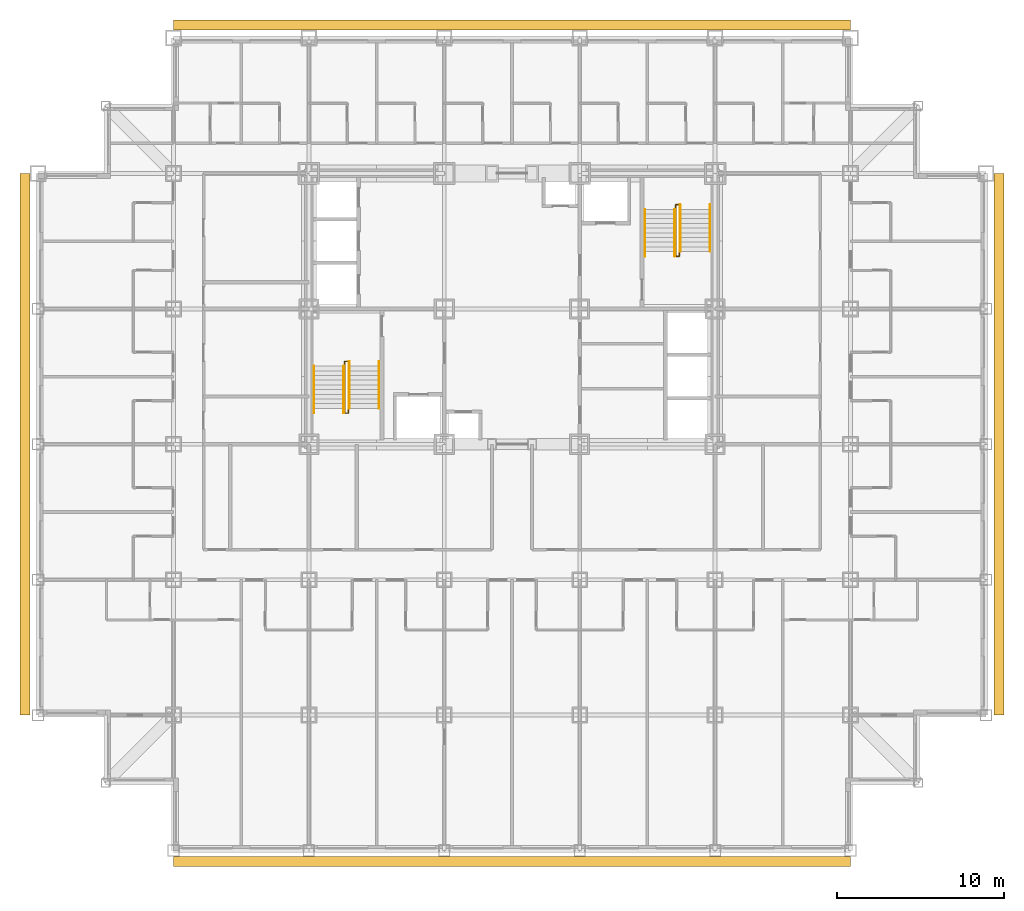
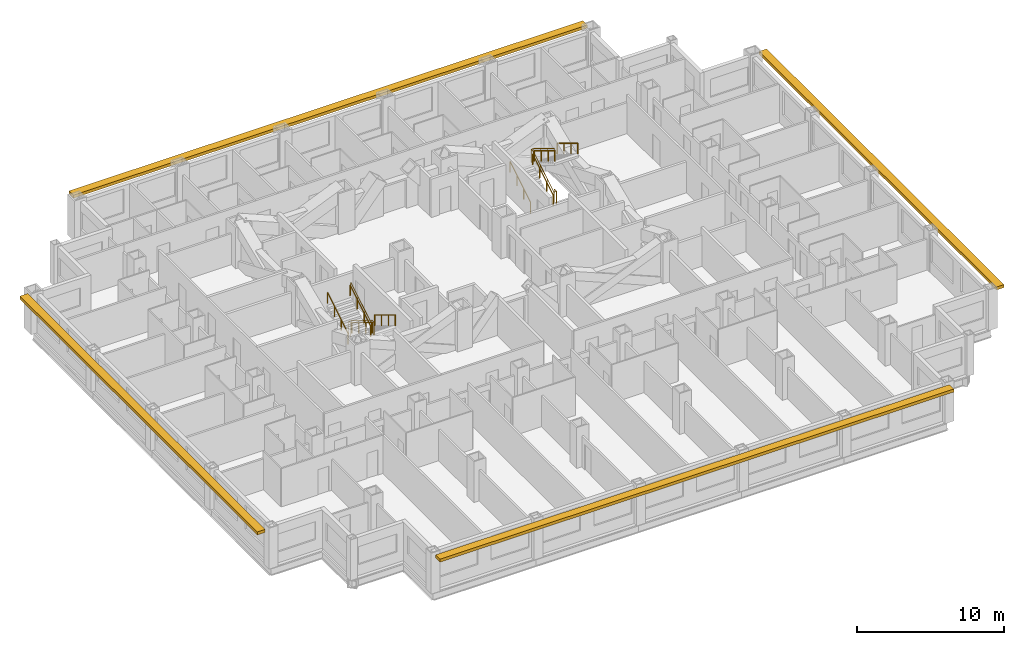
# One storey, part 12 of 12: 10 railings, 4 shading devices.
"""IFC4 building model written with IfcOpenShell, lengths in metres."""

from ifc_helpers import new_model, si_unit, direction, frame, origin, origin_2d, place, context, subcontext, project, spatial, rectangle, circle, extrude, material, type_object, element, save


model = new_model("IFC4")

# Units and contexts
model_context = context("Model", 3, precision=1e-05, world=origin(), true_north=direction((0.0, 1.0)))
body_context = subcontext(model_context, "Body", "Model", "MODEL_VIEW")
ifc_project = project(units=[si_unit("LENGTHUNIT", "METRE"), si_unit("AREAUNIT", "SQUARE_METRE"), si_unit("VOLUMEUNIT", "CUBIC_METRE"), si_unit("PLANEANGLEUNIT", "RADIAN"), si_unit("MASSUNIT", "GRAM", prefix="KILO")], contexts=[model_context])

# Site, building, storey
site_placement = place(None, origin())
site = spatial("IfcSite", under=ifc_project, at=site_placement, CompositionType="ELEMENT")
building_placement = place(site_placement, origin())
building = spatial("IfcBuilding", under=site, at=building_placement, Name="Kopane Lantern Tower", CompositionType="ELEMENT")
storey_placement = place(building_placement, frame((0.0, 0.0, 43.199951171875)))
storey = spatial("IfcBuildingStorey", under=building, at=storey_placement, Name="L09", CompositionType="ELEMENT", Elevation=43.199951171875)

# Railings
ifc_material_1 = material(Name="Steel", Category="steel")
railing_type_1 = type_object("IfcRailingType", Name="STAIR GUARD 1100", PredefinedType="GUARDRAIL", material=ifc_material_1)
railing_1_placement = place(storey_placement, frame((18.35009765625, 28.969970703125, 0.0)))
element("IfcRailing", 1, at=railing_1_placement, inside=storey, type_object=railing_type_1, Name="ST1 well guard L09", PredefinedType="GUARDRAIL", context=body_context, shape_type="SweptSolid", body=[
    extrude(circle(Radius=0.02392578125, at=origin_2d()), frame((0.0, 0.0, 1.076171875), z_axis=(0.0, 1.0, 0.0), x_axis=(-1.0, 0.0, 0.0)), (0.0, 0.0, 1.0), 0.280029296875),
    extrude(circle(Radius=0.02392578125, at=origin_2d()), frame((0.0, 0.280029296875, 1.076171875), z_axis=(1.0, 0.0, 0.0), x_axis=(0.0, 1.0, 0.0)), (0.0, 0.0, 1.0), 0.199951171875),
    extrude(circle(Radius=0.02392578125, at=origin_2d()), frame((0.199951171875, 0.280029296875, 1.076171875), z_axis=(0.0, -0.854798142509, 0.518960630071), x_axis=(1.0, 0.0, 0.0)), (0.0, 0.0, 1.0), 3.275634765625),
    extrude(circle(Radius=0.02392578125, at=origin_2d()), frame((0.199951171875, -2.52001953125, 2.77587890625), z_axis=(0.0, -1.0, 0.0), x_axis=(1.0, 0.0, 0.0)), (0.0, 0.0, 1.0), 0.280029296875),
    extrude(circle(Radius=0.02392578125, at=origin_2d()), frame((0.199951171875, -2.800048828125, 2.77587890625), z_axis=(-1.0, 0.0, 0.0), x_axis=(0.0, -1.0, 0.0)), (0.0, 0.0, 1.0), 0.199951171875),
    extrude(circle(Radius=0.02392578125, at=origin_2d()), frame((0.0, -2.800048828125, 2.77587890625), z_axis=(0.0, 0.854765079529, 0.519015085347), x_axis=(-1.0, 0.0, 0.0)), (0.0, 0.0, 1.0), 3.27587890625),
    extrude(circle(Radius=0.02099609375, at=origin_2d()), origin(), (0.0, 0.0, 1.0), 1.052001953125),
    extrude(circle(Radius=0.02099609375, at=origin_2d()), frame((0.0, 0.280029296875, 0.0)), (0.0, 0.0, 1.0), 1.052001953125),
    extrude(circle(Radius=0.02099609375, at=origin_2d()), frame((0.199951171875, 0.280029296875, 0.0)), (0.0, 0.0, 1.0), 1.052001953125),
    extrude(circle(Radius=0.02099609375, at=origin_2d()), frame((0.199951171875, -0.6533203125, 0.566650390625)), (0.0, 0.0, 1.0), 1.052001953125),
    extrude(circle(Radius=0.02099609375, at=origin_2d()), frame((0.199951171875, -1.586669921875, 1.13330078125)), (0.0, 0.0, 1.0), 1.052001953125),
    extrude(circle(Radius=0.02099609375, at=origin_2d()), frame((0.199951171875, -2.52001953125, 1.699951171875)), (0.0, 0.0, 1.0), 1.052001953125),
    extrude(circle(Radius=0.02099609375, at=origin_2d()), frame((0.199951171875, -2.800048828125, 1.699951171875)), (0.0, 0.0, 1.0), 1.052001953125),
    extrude(circle(Radius=0.02099609375, at=origin_2d()), frame((0.0, -2.800048828125, 1.699951171875)), (0.0, 0.0, 1.0), 1.052001953125),
    extrude(circle(Radius=0.02099609375, at=origin_2d()), frame((0.0, -1.86669921875, 2.2666015625)), (0.0, 0.0, 1.0), 1.052001953125),
    extrude(circle(Radius=0.02099609375, at=origin_2d()), frame((0.0, -0.933349609375, 2.83349609375)), (0.0, 0.0, 1.0), 1.052001953125),
    extrude(circle(Radius=0.02099609375, at=origin_2d()), frame((0.0, 0.0, 3.400146484375)), (0.0, 0.0, 1.0), 1.052001953125),
])
railing_2_placement = place(storey_placement, frame((38.35009765625, 35.830078125, 0.0)))
element("IfcRailing", 2, at=railing_2_placement, inside=storey, type_object=railing_type_1, Name="ST2 well guard L09", PredefinedType="GUARDRAIL", context=body_context, shape_type="SweptSolid", body=[
    extrude(circle(Radius=0.02392578125, at=origin_2d()), frame((0.0, 0.0, 1.076171875), z_axis=(0.0, -1.0, 0.0), x_axis=(1.0, 0.0, 0.0)), (0.0, 0.0, 1.0), 0.280029296875),
    extrude(circle(Radius=0.02392578125, at=origin_2d()), frame((0.0, -0.280029296875, 1.076171875), z_axis=(-1.0, 0.0, 0.0), x_axis=(0.0, -1.0, 0.0)), (0.0, 0.0, 1.0), 0.2001953125),
    extrude(circle(Radius=0.02392578125, at=origin_2d()), frame((-0.2001953125, -0.280029296875, 1.076171875), z_axis=(0.0, 0.854798142509, 0.518960630071), x_axis=(-1.0, 0.0, 0.0)), (0.0, 0.0, 1.0), 3.275634765625),
    extrude(circle(Radius=0.02392578125, at=origin_2d()), frame((-0.2001953125, 2.52001953125, 2.77587890625), z_axis=(0.0, 1.0, 0.0), x_axis=(-1.0, 0.0, 0.0)), (0.0, 0.0, 1.0), 0.27978515625),
    extrude(circle(Radius=0.02392578125, at=origin_2d()), frame((-0.2001953125, 2.7998046875, 2.77587890625), z_axis=(1.0, 0.0, 0.0), x_axis=(0.0, 1.0, 0.0)), (0.0, 0.0, 1.0), 0.2001953125),
    extrude(circle(Radius=0.02392578125, at=origin_2d()), frame((0.0, 2.7998046875, 2.77587890625), z_axis=(0.0, -0.854745001426, 0.5190481505), x_axis=(1.0, 0.0, 0.0)), (0.0, 0.0, 1.0), 3.275634765625),
    extrude(circle(Radius=0.02099609375, at=origin_2d()), origin(), (0.0, 0.0, 1.0), 1.052001953125),
    extrude(circle(Radius=0.02099609375, at=origin_2d()), frame((0.0, -0.280029296875, 0.0)), (0.0, 0.0, 1.0), 1.052001953125),
    extrude(circle(Radius=0.02099609375, at=origin_2d()), frame((-0.2001953125, -0.280029296875, 0.0)), (0.0, 0.0, 1.0), 1.052001953125),
    extrude(circle(Radius=0.02099609375, at=origin_2d()), frame((-0.2001953125, 0.6533203125, 0.566650390625)), (0.0, 0.0, 1.0), 1.052001953125),
    extrude(circle(Radius=0.02099609375, at=origin_2d()), frame((-0.2001953125, 1.586669921875, 1.13330078125)), (0.0, 0.0, 1.0), 1.052001953125),
    extrude(circle(Radius=0.02099609375, at=origin_2d()), frame((-0.2001953125, 2.52001953125, 1.699951171875)), (0.0, 0.0, 1.0), 1.052001953125),
    extrude(circle(Radius=0.02099609375, at=origin_2d()), frame((-0.2001953125, 2.7998046875, 1.699951171875)), (0.0, 0.0, 1.0), 1.052001953125),
    extrude(circle(Radius=0.02099609375, at=origin_2d()), frame((0.0, 2.7998046875, 1.699951171875)), (0.0, 0.0, 1.0), 1.052001953125),
    extrude(circle(Radius=0.02099609375, at=origin_2d()), frame((0.0, 1.866455078125, 2.2666015625)), (0.0, 0.0, 1.0), 1.052001953125),
    extrude(circle(Radius=0.02099609375, at=origin_2d()), frame((0.0, 0.933349609375, 2.83349609375)), (0.0, 0.0, 1.0), 1.052001953125),
    extrude(circle(Radius=0.02099609375, at=origin_2d()), frame((0.0, 0.0, 3.400146484375)), (0.0, 0.0, 1.0), 1.052001953125),
])
ifc_material_2 = material(Name="Steel", Category="steel")
railing_type_2 = type_object("IfcRailingType", Name="STAIR HANDRAIL 900", PredefinedType="HANDRAIL", material=ifc_material_2)
for number, where, name in (
    (3, (20.389892578125, 29.25, 0.0), "ST1 handrail L09 flight 1"),
    (4, (18.610107421875, 29.25, 0.0), "ST1 handrail L09 flight 1"),
):
    element("IfcRailing", number, at=place(storey_placement, frame(where)), inside=storey, type_object=railing_type_2, Name=name, PredefinedType="HANDRAIL", context=body_context, shape_type="SweptSolid", body=[
        extrude(circle(Radius=0.02392578125, at=origin_2d()), frame((0.0, 0.0, 0.8759765625), z_axis=(0.0, -0.854798142509, 0.518960630071), x_axis=(1.0, 0.0, 0.0)), (0.0, 0.0, 1.0), 3.275634765625),
        extrude(circle(Radius=0.02099609375, at=origin_2d()), origin(), (0.0, 0.0, 1.0), 0.851806640625),
        extrude(circle(Radius=0.02099609375, at=origin_2d()), frame((0.0, -0.933349609375, 0.566650390625)), (0.0, 0.0, 1.0), 0.851806640625),
        extrude(circle(Radius=0.02099609375, at=origin_2d()), frame((0.0, -1.86669921875, 1.13330078125)), (0.0, 0.0, 1.0), 0.851806640625),
        extrude(circle(Radius=0.02099609375, at=origin_2d()), frame((0.0, -2.800048828125, 1.699951171875)), (0.0, 0.0, 1.0), 0.851806640625),
    ])
for number, where, name in (
    (5, (16.510009765625, 26.169921875, 1.699951171875), "ST1 handrail L09 flight 2"),
    (6, (18.2900390625, 26.169921875, 1.699951171875), "ST1 handrail L09 flight 2"),
):
    element("IfcRailing", number, at=place(storey_placement, frame(where)), inside=storey, type_object=railing_type_2, Name=name, PredefinedType="HANDRAIL", context=body_context, shape_type="SweptSolid", body=[
        extrude(circle(Radius=0.02392578125, at=origin_2d()), frame((0.0, 0.0, 0.8759765625), z_axis=(0.0, 0.854765079529, 0.519015085347), x_axis=(-1.0, 0.0, 0.0)), (0.0, 0.0, 1.0), 3.27587890625),
        extrude(circle(Radius=0.02099609375, at=origin_2d()), origin(), (0.0, 0.0, 1.0), 0.851806640625),
        extrude(circle(Radius=0.02099609375, at=origin_2d()), frame((0.0, 0.933349609375, 0.566650390625)), (0.0, 0.0, 1.0), 0.851806640625),
        extrude(circle(Radius=0.02099609375, at=origin_2d()), frame((0.0, 1.86669921875, 1.133544921875)), (0.0, 0.0, 1.0), 0.851806640625),
        extrude(circle(Radius=0.02099609375, at=origin_2d()), frame((0.0, 2.800048828125, 1.7001953125)), (0.0, 0.0, 1.0), 0.851806640625),
    ])
for number, where, name in (
    (7, (36.31005859375, 35.550048828125, 0.0), "ST2 handrail L09 flight 1"),
    (8, (38.090087890625, 35.550048828125, 0.0), "ST2 handrail L09 flight 1"),
):
    element("IfcRailing", number, at=place(storey_placement, frame(where)), inside=storey, type_object=railing_type_2, Name=name, PredefinedType="HANDRAIL", context=body_context, shape_type="SweptSolid", body=[
        extrude(circle(Radius=0.02392578125, at=origin_2d()), frame((0.0, 0.0, 0.8759765625), z_axis=(0.0, 0.854798142509, 0.518960630071), x_axis=(-1.0, 0.0, 0.0)), (0.0, 0.0, 1.0), 3.275634765625),
        extrude(circle(Radius=0.02099609375, at=origin_2d()), origin(), (0.0, 0.0, 1.0), 0.851806640625),
        extrude(circle(Radius=0.02099609375, at=origin_2d()), frame((0.0, 0.933349609375, 0.566650390625)), (0.0, 0.0, 1.0), 0.851806640625),
        extrude(circle(Radius=0.02099609375, at=origin_2d()), frame((0.0, 1.86669921875, 1.13330078125)), (0.0, 0.0, 1.0), 0.851806640625),
        extrude(circle(Radius=0.02099609375, at=origin_2d()), frame((0.0, 2.800048828125, 1.699951171875)), (0.0, 0.0, 1.0), 0.851806640625),
    ])
for number, where, name in (
    (9, (40.18994140625, 38.6298828125, 1.699951171875), "ST2 handrail L09 flight 2"),
    (10, (38.409912109375, 38.6298828125, 1.699951171875), "ST2 handrail L09 flight 2"),
):
    element("IfcRailing", number, at=place(storey_placement, frame(where)), inside=storey, type_object=railing_type_2, Name=name, PredefinedType="HANDRAIL", context=body_context, shape_type="SweptSolid", body=[
        extrude(circle(Radius=0.02392578125, at=origin_2d()), frame((0.0, 0.0, 0.8759765625), z_axis=(0.0, -0.854745001426, 0.5190481505), x_axis=(1.0, 0.0, 0.0)), (0.0, 0.0, 1.0), 3.275634765625),
        extrude(circle(Radius=0.02099609375, at=origin_2d()), origin(), (0.0, 0.0, 1.0), 0.851806640625),
        extrude(circle(Radius=0.02099609375, at=origin_2d()), frame((0.0, -0.933349609375, 0.566650390625)), (0.0, 0.0, 1.0), 0.851806640625),
        extrude(circle(Radius=0.02099609375, at=origin_2d()), frame((0.0, -1.866455078125, 1.133544921875)), (0.0, 0.0, 1.0), 0.851806640625),
        extrude(circle(Radius=0.02099609375, at=origin_2d()), frame((0.0, -2.7998046875, 1.7001953125)), (0.0, 0.0, 1.0), 0.851806640625),
    ])

# Shading devices
ifc_material_3 = material(Name="Terracotta rainscreen on light steel framing", Category="masonry")
shading_device_type = type_object("IfcShadingDeviceType", Name="SUNSHADE BAND SB1 600 TERRACOTTA", PredefinedType="USERDEFINED", material=ifc_material_3)
shading_device_1_placement = place(storey_placement, frame((28.35009765625, -0.64990234375, 2.900146484375), z_axis=(0.0, 0.0, 1.0), x_axis=(1.0, 0.0, 0.0)))
element("IfcShadingDevice", 11, at=shading_device_1_placement, inside=storey, type_object=shading_device_type, Name="Sunshade band S L09", ObjectType="SUNSHADE BAND", PredefinedType="USERDEFINED", context=body_context, shape_type="SweptSolid", body=[
    extrude(rectangle(XDim=40.5, YDim=0.60009765625, at=origin_2d()), origin(), (0.0, 0.0, 1.0), 0.25),
])
shading_device_2_placement = place(storey_placement, frame((57.47509765625, 24.300048828125, 2.900146484375), z_axis=(0.0, 0.0, 1.0), x_axis=(0.0, 1.0, 0.0)))
element("IfcShadingDevice", 12, at=shading_device_2_placement, inside=storey, type_object=shading_device_type, Name="Sunshade band E L09", ObjectType="SUNSHADE BAND", PredefinedType="USERDEFINED", context=body_context, shape_type="SweptSolid", body=[
    extrude(rectangle(XDim=32.39990234375, YDim=0.60009765625, at=origin_2d()), origin(), (0.0, 0.0, 1.0), 0.25),
])
shading_device_3_placement = place(storey_placement, frame((28.35009765625, 49.375, 2.900146484375), z_axis=(0.0, 0.0, 1.0), x_axis=(-1.0, 0.0, 0.0)))
element("IfcShadingDevice", 13, at=shading_device_3_placement, inside=storey, type_object=shading_device_type, Name="Sunshade band N L09", ObjectType="SUNSHADE BAND", PredefinedType="USERDEFINED", context=body_context, shape_type="SweptSolid", body=[
    extrude(rectangle(XDim=40.5, YDim=0.60009765625, at=origin_2d()), origin(), (0.0, 0.0, 1.0), 0.25),
])
shading_device_4_placement = place(storey_placement, frame((-0.77490234375, 24.300048828125, 2.900146484375), z_axis=(0.0, 0.0, 1.0), x_axis=(0.0, -1.0, 0.0)))
element("IfcShadingDevice", 14, at=shading_device_4_placement, inside=storey, type_object=shading_device_type, Name="Sunshade band W L09", ObjectType="SUNSHADE BAND", PredefinedType="USERDEFINED", context=body_context, shape_type="SweptSolid", body=[
    extrude(rectangle(XDim=32.39990234375, YDim=0.60009765625, at=origin_2d()), origin(), (0.0, 0.0, 1.0), 0.25),
])

save(model, "model.ifc")
